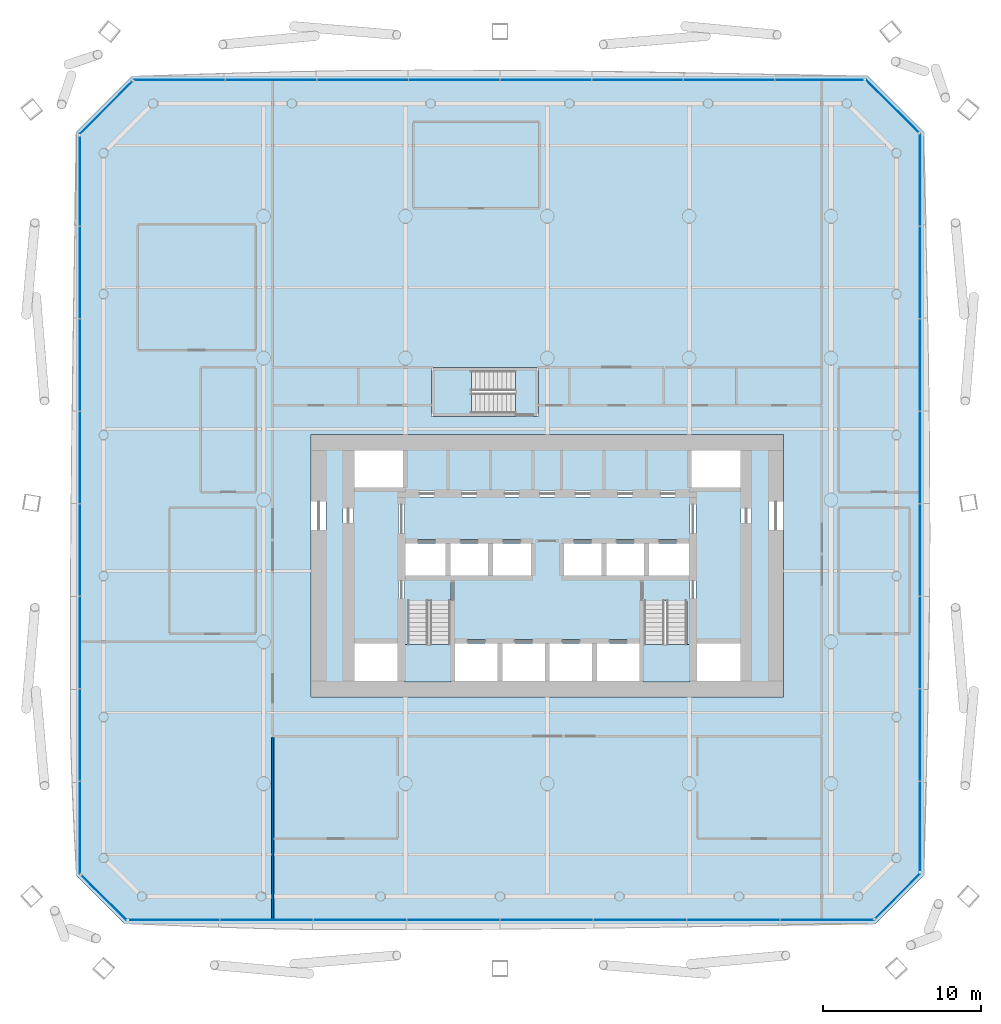
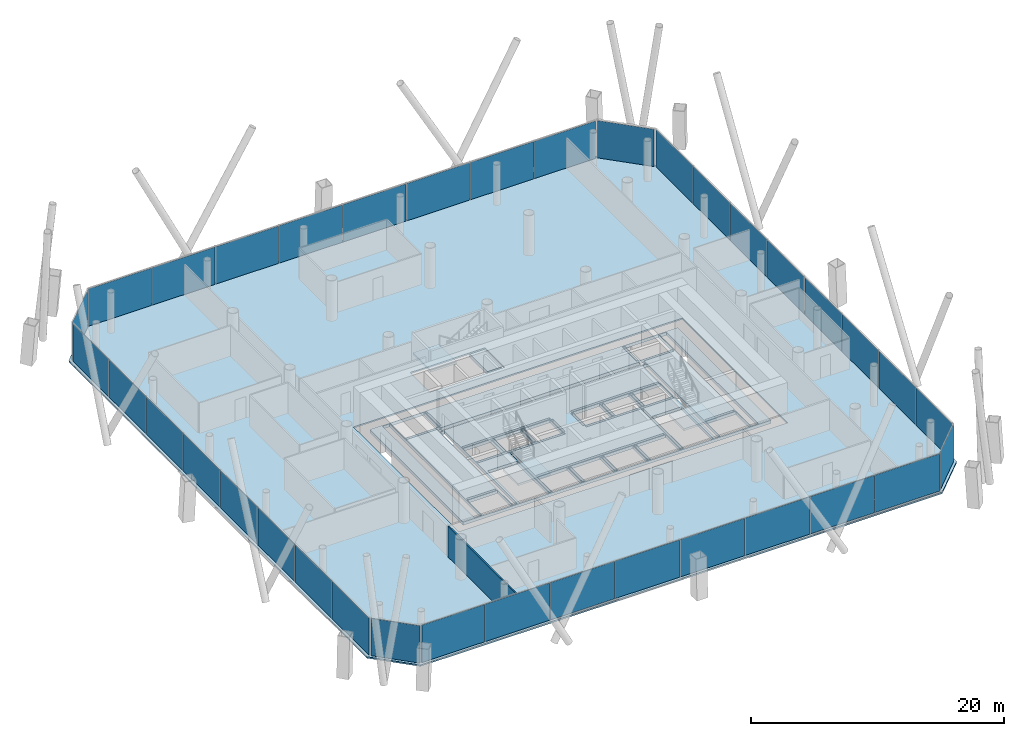
# One storey, part 16 of 25: 36 plates, 6 slabs, 1 wall, 11 elements without a shape of their own.
"""IFC4 building model written with IfcOpenShell, lengths in metres."""

from ifc_helpers import new_model, si_unit, direction, frame, frame_2d, origin, origin_2d, place, context, subcontext, project, spatial, polyline, rectangle, outline, extrude, material, layer, layer_set, type_object, element, aggregate, save


model = new_model("IFC4")

# Units and contexts
model_context = context("Model", 3, precision=1e-05, world=origin(), true_north=direction((0.0, 1.0)))
body_context = subcontext(model_context, "Body", "Model", "MODEL_VIEW")
ifc_project = project(units=[si_unit("LENGTHUNIT", "METRE"), si_unit("AREAUNIT", "SQUARE_METRE"), si_unit("VOLUMEUNIT", "CUBIC_METRE"), si_unit("PLANEANGLEUNIT", "RADIAN"), si_unit("MASSUNIT", "GRAM", prefix="KILO")], contexts=[model_context])

# Site, building, storey
site_placement = place(None, origin())
site = spatial("IfcSite", under=ifc_project, at=site_placement, CompositionType="ELEMENT")
building_placement = place(site_placement, origin())
building = spatial("IfcBuilding", under=site, at=building_placement, Name="Tskaro Facet Tower", CompositionType="ELEMENT")
storey_placement = place(building_placement, frame((0.0, 0.0, 34.199951171875)))
storey = spatial("IfcBuildingStorey", under=building, at=storey_placement, Name="L07", CompositionType="ELEMENT", Elevation=34.199951171875)

# Slab
ifc_material_1 = material(Name="Concrete C30/37", Category="concrete")
ifc_layer_1 = layer(ifc_material_1, 0.139892578125, Name="Concrete C30/37")
ifc_layer_set_1 = layer_set([ifc_layer_1], Name="Concrete C30/37")
slab_type_1 = type_object("IfcSlabType", Name="Composite deck floor slab", PredefinedType="FLOOR", material=ifc_layer_set_1)
slab_1_placement = place(storey_placement, frame((0.0, 0.0, -0.139892578125)))
element("IfcSlab", 1, at=slab_1_placement, inside=storey, type_object=slab_type_1, Name="Floor slab FS3 L07", PredefinedType="FLOOR", context=body_context, shape_type="SweptSolid", body=[
    extrude(outline(polyline([(-26.81689453125, -26.904052734375), (20.81689453125, -26.904052734375), (23.904052734375, -23.81689453125), (23.904052734375, 23.339111328125), (20.339111328125, 26.904052734375), (-26.339111328125, 26.904052734375), (-29.904052734375, 23.339111328125), (-29.904052734375, -23.81689453125), (-26.81689453125, -26.904052734375)]), holes=[polyline([(-15.0, -12.5), (15.0, -12.5), (15.0, 4.14990234375), (-15.0, 4.14990234375), (-15.0, -12.5)]), polyline([(-7.35009765625, 5.300048828125), (-0.550048828125, 5.300048828125), (-0.550048828125, 8.39990234375), (-7.35009765625, 8.39990234375), (-7.35009765625, 5.300048828125)])]), origin(), (0.0, 0.0, 1.0), 0.139892578125),
])

# Curtain wall, plates
ifc_material_2 = material(Name="Bronze anodised aluminium 6063-T6", Category="aluminium")
curtain_wall_type = type_object("IfcCurtainWallType", Name="Bronze office curtain wall (FW1)", PredefinedType="NOTDEFINED", material=ifc_material_2)
curtain_wall_1_placement = place(storey_placement, origin())
curtain_wall_1 = element("IfcCurtainWall", 2, at=curtain_wall_1_placement, inside=storey, type_object=curtain_wall_type, Name="FW1 south facet L07", PredefinedType="NOTDEFINED")
ifc_material_3 = material(Name="Bronze tinted glass", Category="glass")
ifc_layer_2 = layer(ifc_material_3, 0.031982421875, Name="Bronze tinted glass")
ifc_layer_set_2 = layer_set([ifc_layer_2], Name="Bronze tinted glass")
plate_type = type_object("IfcPlateType", Name="FW1 bronze-tinted unit glazing 32", PredefinedType="CURTAIN_PANEL", material=ifc_layer_set_2)
plate_1_placement = place(storey_placement, frame((-23.683837890625, -26.654052734375, 0.0), z_axis=(0.0, 0.0, 1.0), x_axis=(1.0, 0.0, 0.0)))
plate_1 = element("IfcPlate", 3, at=plate_1_placement, type_object=plate_type, Name="FW1 south glazing 1.1", PredefinedType="CURTAIN_PANEL", context=body_context, shape_type="SweptSolid", body=[
    extrude(rectangle(XDim=5.73828125, YDim=0.031982421875, at=origin_2d()), origin(), (0.0, 0.0, 1.0), 3.60009765625),
])
plate_2_placement = place(storey_placement, frame((-17.820556640625, -26.654052734375, 0.0), z_axis=(0.0, 0.0, 1.0), x_axis=(1.0, 0.0, 0.0)))
plate_2 = element("IfcPlate", 4, at=plate_2_placement, type_object=plate_type, Name="FW1 south glazing 2.1", PredefinedType="CURTAIN_PANEL", context=body_context, shape_type="SweptSolid", body=[
    extrude(rectangle(XDim=5.8681640625, YDim=0.031982421875, at=origin_2d()), origin(), (0.0, 0.0, 1.0), 3.60009765625),
])
plate_3_placement = place(storey_placement, frame((-11.892333984375, -26.654052734375, 0.0), z_axis=(0.0, 0.0, 1.0), x_axis=(1.0, 0.0, 0.0)))
plate_3 = element("IfcPlate", 5, at=plate_3_placement, type_object=plate_type, Name="FW1 south glazing 3.1", PredefinedType="CURTAIN_PANEL", context=body_context, shape_type="SweptSolid", body=[
    extrude(rectangle(XDim=5.8681640625, YDim=0.031982421875, at=origin_2d()), origin(), (0.0, 0.0, 1.0), 3.60009765625),
])
plate_4_placement = place(storey_placement, frame((-5.964111328125, -26.654052734375, 0.0), z_axis=(0.0, 0.0, 1.0), x_axis=(1.0, 0.0, 0.0)))
plate_4 = element("IfcPlate", 6, at=plate_4_placement, type_object=plate_type, Name="FW1 south glazing 4.1", PredefinedType="CURTAIN_PANEL", context=body_context, shape_type="SweptSolid", body=[
    extrude(rectangle(XDim=5.8681640625, YDim=0.031982421875, at=origin_2d()), origin(), (0.0, 0.0, 1.0), 3.60009765625),
])
plate_5_placement = place(storey_placement, frame((-0.035888671875, -26.654052734375, 0.0), z_axis=(0.0, 0.0, 1.0), x_axis=(1.0, 0.0, 0.0)))
plate_5 = element("IfcPlate", 7, at=plate_5_placement, type_object=plate_type, Name="FW1 south glazing 5.1", PredefinedType="CURTAIN_PANEL", context=body_context, shape_type="SweptSolid", body=[
    extrude(rectangle(XDim=5.8681640625, YDim=0.031982421875, at=origin_2d()), origin(), (0.0, 0.0, 1.0), 3.60009765625),
])
plate_6_placement = place(storey_placement, frame((5.892333984375, -26.654052734375, 0.0), z_axis=(0.0, 0.0, 1.0), x_axis=(1.0, 0.0, 0.0)))
plate_6 = element("IfcPlate", 8, at=plate_6_placement, type_object=plate_type, Name="FW1 south glazing 6.1", PredefinedType="CURTAIN_PANEL", context=body_context, shape_type="SweptSolid", body=[
    extrude(rectangle(XDim=5.8681640625, YDim=0.031982421875, at=origin_2d()), origin(), (0.0, 0.0, 1.0), 3.60009765625),
])
plate_7_placement = place(storey_placement, frame((11.820556640625, -26.654052734375, 0.0), z_axis=(0.0, 0.0, 1.0), x_axis=(1.0, 0.0, 0.0)))
plate_7 = element("IfcPlate", 9, at=plate_7_placement, type_object=plate_type, Name="FW1 south glazing 7.1", PredefinedType="CURTAIN_PANEL", context=body_context, shape_type="SweptSolid", body=[
    extrude(rectangle(XDim=5.8681640625, YDim=0.031982421875, at=origin_2d()), origin(), (0.0, 0.0, 1.0), 3.60009765625),
])
plate_8_placement = place(storey_placement, frame((17.763916015625, -26.654052734375, 0.0), z_axis=(0.0, 0.0, 1.0), x_axis=(1.0, 0.0, 0.0)))
plate_8 = element("IfcPlate", 10, at=plate_8_placement, type_object=plate_type, Name="FW1 south glazing 8.1", PredefinedType="CURTAIN_PANEL", context=body_context, shape_type="SweptSolid", body=[
    extrude(rectangle(XDim=5.898193359375, YDim=0.031982421875, at=origin_2d()), origin(), (0.0, 0.0, 1.0), 3.60009765625),
])
aggregate(curtain_wall_1, [plate_1, plate_2, plate_3, plate_4, plate_5, plate_6, plate_7, plate_8])

# Curtain wall, plate
curtain_wall_2_placement = place(storey_placement, origin())
curtain_wall_2 = element("IfcCurtainWall", 11, at=curtain_wall_2_placement, inside=storey, type_object=curtain_wall_type, Name="FW1 south-east facet L07", PredefinedType="NOTDEFINED")
plate_9_placement = place(storey_placement, frame((22.239990234375, -25.126953125, 0.0), z_axis=(0.0, 0.0, 1.0), x_axis=(0.707106781187, 0.707106781187, 0.0)))
plate_9 = element("IfcPlate", 12, at=plate_9_placement, type_object=plate_type, Name="FW1 south-east glazing 1.1", PredefinedType="CURTAIN_PANEL", context=body_context, shape_type="SweptSolid", body=[
    extrude(rectangle(XDim=3.999267578125, YDim=0.031982421875, at=origin_2d()), origin(), (0.0, 0.0, 1.0), 3.60009765625),
])
aggregate(curtain_wall_2, [plate_9])

# Curtain wall, plates
curtain_wall_3_placement = place(storey_placement, origin())
curtain_wall_3 = element("IfcCurtainWall", 13, at=curtain_wall_3_placement, inside=storey, type_object=curtain_wall_type, Name="FW1 east facet L07", PredefinedType="NOTDEFINED")
plate_10_placement = place(storey_placement, frame((23.654052734375, -20.7138671875, 0.0), z_axis=(0.0, 0.0, 1.0), x_axis=(0.0, 1.0, 0.0)))
plate_10 = element("IfcPlate", 14, at=plate_10_placement, type_object=plate_type, Name="FW1 east glazing 1.1", PredefinedType="CURTAIN_PANEL", context=body_context, shape_type="SweptSolid", body=[
    extrude(rectangle(XDim=5.678466796875, YDim=0.031982421875, at=origin_2d()), origin(), (0.0, 0.0, 1.0), 3.60009765625),
])
plate_11_placement = place(storey_placement, frame((23.654052734375, -14.91015625, 0.0), z_axis=(0.0, 0.0, 1.0), x_axis=(0.0, 1.0, 0.0)))
plate_11 = element("IfcPlate", 15, at=plate_11_placement, type_object=plate_type, Name="FW1 east glazing 2.1", PredefinedType="CURTAIN_PANEL", context=body_context, shape_type="SweptSolid", body=[
    extrude(rectangle(XDim=5.80859375, YDim=0.031982421875, at=origin_2d()), origin(), (0.0, 0.0, 1.0), 3.60009765625),
])
plate_12_placement = place(storey_placement, frame((23.654052734375, -9.041748046875, 0.0), z_axis=(0.0, 0.0, 1.0), x_axis=(0.0, 1.0, 0.0)))
plate_12 = element("IfcPlate", 16, at=plate_12_placement, type_object=plate_type, Name="FW1 east glazing 3.1", PredefinedType="CURTAIN_PANEL", context=body_context, shape_type="SweptSolid", body=[
    extrude(rectangle(XDim=5.80859375, YDim=0.031982421875, at=origin_2d()), origin(), (0.0, 0.0, 1.0), 3.60009765625),
])
plate_13_placement = place(storey_placement, frame((23.654052734375, -3.17333984375, 0.0), z_axis=(0.0, 0.0, 1.0), x_axis=(0.0, 1.0, 0.0)))
plate_13 = element("IfcPlate", 17, at=plate_13_placement, type_object=plate_type, Name="FW1 east glazing 4.1", PredefinedType="CURTAIN_PANEL", context=body_context, shape_type="SweptSolid", body=[
    extrude(rectangle(XDim=5.80859375, YDim=0.031982421875, at=origin_2d()), origin(), (0.0, 0.0, 1.0), 3.60009765625),
])
plate_14_placement = place(storey_placement, frame((23.654052734375, 2.6953125, 0.0), z_axis=(0.0, 0.0, 1.0), x_axis=(0.0, 1.0, 0.0)))
plate_14 = element("IfcPlate", 18, at=plate_14_placement, type_object=plate_type, Name="FW1 east glazing 5.1", PredefinedType="CURTAIN_PANEL", context=body_context, shape_type="SweptSolid", body=[
    extrude(rectangle(XDim=5.80859375, YDim=0.031982421875, at=origin_2d()), origin(), (0.0, 0.0, 1.0), 3.60009765625),
])
plate_15_placement = place(storey_placement, frame((23.654052734375, 8.563720703125, 0.0), z_axis=(0.0, 0.0, 1.0), x_axis=(0.0, 1.0, 0.0)))
plate_15 = element("IfcPlate", 19, at=plate_15_placement, type_object=plate_type, Name="FW1 east glazing 6.1", PredefinedType="CURTAIN_PANEL", context=body_context, shape_type="SweptSolid", body=[
    extrude(rectangle(XDim=5.80859375, YDim=0.031982421875, at=origin_2d()), origin(), (0.0, 0.0, 1.0), 3.60009765625),
])
plate_16_placement = place(storey_placement, frame((23.654052734375, 14.43212890625, 0.0), z_axis=(0.0, 0.0, 1.0), x_axis=(0.0, 1.0, 0.0)))
plate_16 = element("IfcPlate", 20, at=plate_16_placement, type_object=plate_type, Name="FW1 east glazing 7.1", PredefinedType="CURTAIN_PANEL", context=body_context, shape_type="SweptSolid", body=[
    extrude(rectangle(XDim=5.80859375, YDim=0.031982421875, at=origin_2d()), origin(), (0.0, 0.0, 1.0), 3.60009765625),
])
plate_17_placement = place(storey_placement, frame((23.654052734375, 20.315673828125, 0.0), z_axis=(0.0, 0.0, 1.0), x_axis=(0.0, 1.0, 0.0)))
plate_17 = element("IfcPlate", 21, at=plate_17_placement, type_object=plate_type, Name="FW1 east glazing 8.1", PredefinedType="CURTAIN_PANEL", context=body_context, shape_type="SweptSolid", body=[
    extrude(rectangle(XDim=5.83837890625, YDim=0.031982421875, at=origin_2d()), origin(), (0.0, 0.0, 1.0), 3.60009765625),
])
aggregate(curtain_wall_3, [plate_10, plate_11, plate_12, plate_13, plate_14, plate_15, plate_16, plate_17])

# Curtain wall, plate
curtain_wall_4_placement = place(storey_placement, origin())
curtain_wall_4 = element("IfcCurtainWall", 22, at=curtain_wall_4_placement, inside=storey, type_object=curtain_wall_type, Name="FW1 north-east facet L07", PredefinedType="NOTDEFINED")
plate_18_placement = place(storey_placement, frame((21.887939453125, 25.0009765625, 0.0), z_axis=(0.0, 0.0, 1.0), x_axis=(-0.707106781187, 0.707106781187, 0.0)))
plate_18 = element("IfcPlate", 23, at=plate_18_placement, type_object=plate_type, Name="FW1 north-east glazing 1.1", PredefinedType="CURTAIN_PANEL", context=body_context, shape_type="SweptSolid", body=[
    extrude(rectangle(XDim=4.67529296875, YDim=0.031982421875, at=origin_2d()), origin(), (0.0, 0.0, 1.0), 3.60009765625),
])
aggregate(curtain_wall_4, [plate_18])

# Curtain wall, plates
curtain_wall_5_placement = place(storey_placement, origin())
curtain_wall_5 = element("IfcCurtainWall", 24, at=curtain_wall_5_placement, inside=storey, type_object=curtain_wall_type, Name="FW1 north facet L07", PredefinedType="NOTDEFINED")
plate_19_placement = place(storey_placement, frame((17.265625, 26.654052734375, 0.0), z_axis=(0.0, 0.0, 1.0), x_axis=(-1.0, 0.0, 0.0)))
plate_19 = element("IfcPlate", 25, at=plate_19_placement, type_object=plate_type, Name="FW1 north glazing 1.1", PredefinedType="CURTAIN_PANEL", context=body_context, shape_type="SweptSolid", body=[
    extrude(rectangle(XDim=5.61865234375, YDim=0.031982421875, at=origin_2d()), origin(), (0.0, 0.0, 1.0), 3.60009765625),
])
plate_20_placement = place(storey_placement, frame((11.52197265625, 26.654052734375, 0.0), z_axis=(0.0, 0.0, 1.0), x_axis=(-1.0, 0.0, 0.0)))
plate_20 = element("IfcPlate", 26, at=plate_20_placement, type_object=plate_type, Name="FW1 north glazing 2.1", PredefinedType="CURTAIN_PANEL", context=body_context, shape_type="SweptSolid", body=[
    extrude(rectangle(XDim=5.748779296875, YDim=0.031982421875, at=origin_2d()), origin(), (0.0, 0.0, 1.0), 3.60009765625),
])
plate_21_placement = place(storey_placement, frame((5.713134765625, 26.654052734375, 0.0), z_axis=(0.0, 0.0, 1.0), x_axis=(-1.0, 0.0, 0.0)))
plate_21 = element("IfcPlate", 27, at=plate_21_placement, type_object=plate_type, Name="FW1 north glazing 3.1", PredefinedType="CURTAIN_PANEL", context=body_context, shape_type="SweptSolid", body=[
    extrude(rectangle(XDim=5.748779296875, YDim=0.031982421875, at=origin_2d()), origin(), (0.0, 0.0, 1.0), 3.60009765625),
])
plate_22_placement = place(storey_placement, frame((-0.095703125, 26.654052734375, 0.0), z_axis=(0.0, 0.0, 1.0), x_axis=(-1.0, 0.0, 0.0)))
plate_22 = element("IfcPlate", 28, at=plate_22_placement, type_object=plate_type, Name="FW1 north glazing 4.1", PredefinedType="CURTAIN_PANEL", context=body_context, shape_type="SweptSolid", body=[
    extrude(rectangle(XDim=5.748779296875, YDim=0.031982421875, at=origin_2d()), origin(), (0.0, 0.0, 1.0), 3.60009765625),
])
plate_23_placement = place(storey_placement, frame((-5.904296875, 26.654052734375, 0.0), z_axis=(0.0, 0.0, 1.0), x_axis=(-1.0, 0.0, 0.0)))
plate_23 = element("IfcPlate", 29, at=plate_23_placement, type_object=plate_type, Name="FW1 north glazing 5.1", PredefinedType="CURTAIN_PANEL", context=body_context, shape_type="SweptSolid", body=[
    extrude(rectangle(XDim=5.748779296875, YDim=0.031982421875, at=origin_2d()), origin(), (0.0, 0.0, 1.0), 3.60009765625),
])
plate_24_placement = place(storey_placement, frame((-11.713134765625, 26.654052734375, 0.0), z_axis=(0.0, 0.0, 1.0), x_axis=(-1.0, 0.0, 0.0)))
plate_24 = element("IfcPlate", 30, at=plate_24_placement, type_object=plate_type, Name="FW1 north glazing 6.1", PredefinedType="CURTAIN_PANEL", context=body_context, shape_type="SweptSolid", body=[
    extrude(rectangle(XDim=5.748779296875, YDim=0.031982421875, at=origin_2d()), origin(), (0.0, 0.0, 1.0), 3.60009765625),
])
plate_25_placement = place(storey_placement, frame((-17.52197265625, 26.654052734375, 0.0), z_axis=(0.0, 0.0, 1.0), x_axis=(-1.0, 0.0, 0.0)))
plate_25 = element("IfcPlate", 31, at=plate_25_placement, type_object=plate_type, Name="FW1 north glazing 7.1", PredefinedType="CURTAIN_PANEL", context=body_context, shape_type="SweptSolid", body=[
    extrude(rectangle(XDim=5.748779296875, YDim=0.031982421875, at=origin_2d()), origin(), (0.0, 0.0, 1.0), 3.60009765625),
])
plate_26_placement = place(storey_placement, frame((-23.345703125, 26.654052734375, 0.0), z_axis=(0.0, 0.0, 1.0), x_axis=(-1.0, 0.0, 0.0)))
plate_26 = element("IfcPlate", 32, at=plate_26_placement, type_object=plate_type, Name="FW1 north glazing 8.1", PredefinedType="CURTAIN_PANEL", context=body_context, shape_type="SweptSolid", body=[
    extrude(rectangle(XDim=5.77880859375, YDim=0.031982421875, at=origin_2d()), origin(), (0.0, 0.0, 1.0), 3.60009765625),
])
aggregate(curtain_wall_5, [plate_19, plate_20, plate_21, plate_22, plate_23, plate_24, plate_25, plate_26])

# Curtain wall, plate
curtain_wall_6_placement = place(storey_placement, origin())
curtain_wall_6 = element("IfcCurtainWall", 33, at=curtain_wall_6_placement, inside=storey, type_object=curtain_wall_type, Name="FW1 north-west facet L07", PredefinedType="NOTDEFINED")
plate_27_placement = place(storey_placement, frame((-28.0009765625, 24.887939453125, 0.0), z_axis=(0.0, 0.0, 1.0), x_axis=(-0.707106781187, -0.707106781187, 0.0)))
plate_27 = element("IfcPlate", 34, at=plate_27_placement, type_object=plate_type, Name="FW1 north-west glazing 1.1", PredefinedType="CURTAIN_PANEL", context=body_context, shape_type="SweptSolid", body=[
    extrude(rectangle(XDim=4.67529296875, YDim=0.031982421875, at=origin_2d()), origin(), (0.0, 0.0, 1.0), 3.60009765625),
])
aggregate(curtain_wall_6, [plate_27])

# Curtain wall, plates
curtain_wall_7_placement = place(storey_placement, origin())
curtain_wall_7 = element("IfcCurtainWall", 35, at=curtain_wall_7_placement, inside=storey, type_object=curtain_wall_type, Name="FW1 west facet L07", PredefinedType="NOTDEFINED")
plate_28_placement = place(storey_placement, frame((-29.654052734375, 20.23583984375, 0.0), z_axis=(0.0, 0.0, 1.0), x_axis=(0.0, -1.0, 0.0)))
plate_28 = element("IfcPlate", 36, at=plate_28_placement, type_object=plate_type, Name="FW1 west glazing 1.1", PredefinedType="CURTAIN_PANEL", context=body_context, shape_type="SweptSolid", body=[
    extrude(rectangle(XDim=5.678466796875, YDim=0.031982421875, at=origin_2d()), origin(), (0.0, 0.0, 1.0), 3.60009765625),
])
plate_29_placement = place(storey_placement, frame((-29.654052734375, 14.43212890625, 0.0), z_axis=(0.0, 0.0, 1.0), x_axis=(0.0, -1.0, 0.0)))
plate_29 = element("IfcPlate", 37, at=plate_29_placement, type_object=plate_type, Name="FW1 west glazing 2.1", PredefinedType="CURTAIN_PANEL", context=body_context, shape_type="SweptSolid", body=[
    extrude(rectangle(XDim=5.80859375, YDim=0.031982421875, at=origin_2d()), origin(), (0.0, 0.0, 1.0), 3.60009765625),
])
plate_30_placement = place(storey_placement, frame((-29.654052734375, 8.563720703125, 0.0), z_axis=(0.0, 0.0, 1.0), x_axis=(0.0, -1.0, 0.0)))
plate_30 = element("IfcPlate", 38, at=plate_30_placement, type_object=plate_type, Name="FW1 west glazing 3.1", PredefinedType="CURTAIN_PANEL", context=body_context, shape_type="SweptSolid", body=[
    extrude(rectangle(XDim=5.80859375, YDim=0.031982421875, at=origin_2d()), origin(), (0.0, 0.0, 1.0), 3.60009765625),
])
plate_31_placement = place(storey_placement, frame((-29.654052734375, 2.6953125, 0.0), z_axis=(0.0, 0.0, 1.0), x_axis=(0.0, -1.0, 0.0)))
plate_31 = element("IfcPlate", 39, at=plate_31_placement, type_object=plate_type, Name="FW1 west glazing 4.1", PredefinedType="CURTAIN_PANEL", context=body_context, shape_type="SweptSolid", body=[
    extrude(rectangle(XDim=5.80859375, YDim=0.031982421875, at=origin_2d()), origin(), (0.0, 0.0, 1.0), 3.60009765625),
])
plate_32_placement = place(storey_placement, frame((-29.654052734375, -3.17333984375, 0.0), z_axis=(0.0, 0.0, 1.0), x_axis=(0.0, -1.0, 0.0)))
plate_32 = element("IfcPlate", 40, at=plate_32_placement, type_object=plate_type, Name="FW1 west glazing 5.1", PredefinedType="CURTAIN_PANEL", context=body_context, shape_type="SweptSolid", body=[
    extrude(rectangle(XDim=5.80859375, YDim=0.031982421875, at=origin_2d()), origin(), (0.0, 0.0, 1.0), 3.60009765625),
])
plate_33_placement = place(storey_placement, frame((-29.654052734375, -9.041748046875, 0.0), z_axis=(0.0, 0.0, 1.0), x_axis=(0.0, -1.0, 0.0)))
plate_33 = element("IfcPlate", 41, at=plate_33_placement, type_object=plate_type, Name="FW1 west glazing 6.1", PredefinedType="CURTAIN_PANEL", context=body_context, shape_type="SweptSolid", body=[
    extrude(rectangle(XDim=5.80859375, YDim=0.031982421875, at=origin_2d()), origin(), (0.0, 0.0, 1.0), 3.60009765625),
])
plate_34_placement = place(storey_placement, frame((-29.654052734375, -14.91015625, 0.0), z_axis=(0.0, 0.0, 1.0), x_axis=(0.0, -1.0, 0.0)))
plate_34 = element("IfcPlate", 42, at=plate_34_placement, type_object=plate_type, Name="FW1 west glazing 7.1", PredefinedType="CURTAIN_PANEL", context=body_context, shape_type="SweptSolid", body=[
    extrude(rectangle(XDim=5.80859375, YDim=0.031982421875, at=origin_2d()), origin(), (0.0, 0.0, 1.0), 3.60009765625),
])
plate_35_placement = place(storey_placement, frame((-29.654052734375, -20.793701171875, 0.0), z_axis=(0.0, 0.0, 1.0), x_axis=(0.0, -1.0, 0.0)))
plate_35 = element("IfcPlate", 43, at=plate_35_placement, type_object=plate_type, Name="FW1 west glazing 8.1", PredefinedType="CURTAIN_PANEL", context=body_context, shape_type="SweptSolid", body=[
    extrude(rectangle(XDim=5.83837890625, YDim=0.031982421875, at=origin_2d()), origin(), (0.0, 0.0, 1.0), 3.60009765625),
])
aggregate(curtain_wall_7, [plate_28, plate_29, plate_30, plate_31, plate_32, plate_33, plate_34, plate_35])

# Curtain wall, plate
curtain_wall_8_placement = place(storey_placement, origin())
curtain_wall_8 = element("IfcCurtainWall", 44, at=curtain_wall_8_placement, inside=storey, type_object=curtain_wall_type, Name="FW1 south-west facet L07", PredefinedType="NOTDEFINED")
plate_36_placement = place(storey_placement, frame((-28.126953125, -25.239990234375, 0.0), z_axis=(0.0, 0.0, 1.0), x_axis=(0.707106781187, -0.707106781187, 0.0)))
plate_36 = element("IfcPlate", 45, at=plate_36_placement, type_object=plate_type, Name="FW1 south-west glazing 1.1", PredefinedType="CURTAIN_PANEL", context=body_context, shape_type="SweptSolid", body=[
    extrude(rectangle(XDim=3.999267578125, YDim=0.031982421875, at=origin_2d()), origin(), (0.0, 0.0, 1.0), 3.60009765625),
])
aggregate(curtain_wall_8, [plate_36])

# Stair, slab
ifc_material_4 = material(Name="Concrete C40/50", Category="concrete")
stair_type = type_object("IfcStairType", Name="ST-TWR", PredefinedType="HALF_TURN_STAIR", material=ifc_material_4)
stair_1_placement = place(storey_placement, origin())
stair_1 = element("IfcStair", 46, at=stair_1_placement, inside=storey, type_object=stair_type, Name="L07 Exit stair 1", PredefinedType="HALF_TURN_STAIR")
ifc_layer_3 = layer(ifc_material_4, 0.199951171875, Name="Concrete C40/50")
ifc_layer_set_3 = layer_set([ifc_layer_3], Name="Concrete C40/50")
slab_type_2 = type_object("IfcSlabType", Name="SL-LANDING", PredefinedType="LANDING", material=ifc_layer_set_3)
slab_2_placement = place(storey_placement, frame((0.0, 0.0, 1.75)))
slab_2 = element("IfcSlab", 47, at=slab_2_placement, type_object=slab_type_2, Name="ST-1 landing 1", PredefinedType="LANDING", context=body_context, shape_type="SweptSolid", body=[
    extrude(outline(polyline([(-9.050048828125, -11.550048828125), (-6.10009765625, -11.550048828125), (-6.10009765625, -9.175048828125), (-9.050048828125, -9.175048828125), (-9.050048828125, -11.550048828125)])), origin(), (0.0, 0.0, 1.0), 0.199951171875),
])
aggregate(stair_1, [slab_2])

stair_2_placement = place(storey_placement, origin())
stair_2 = element("IfcStair", 48, at=stair_2_placement, inside=storey, type_object=stair_type, Name="L07 Exit stair 2", PredefinedType="HALF_TURN_STAIR")
slab_3_placement = place(storey_placement, frame((0.0, 0.0, 1.75)))
slab_3 = element("IfcSlab", 49, at=slab_3_placement, type_object=slab_type_2, Name="ST-2 landing 1", PredefinedType="LANDING", context=body_context, shape_type="SweptSolid", body=[
    extrude(outline(polyline([(6.10009765625, -11.550048828125), (9.050048828125, -11.550048828125), (9.050048828125, -9.175048828125), (6.10009765625, -9.175048828125), (6.10009765625, -11.550048828125)])), origin(), (0.0, 0.0, 1.0), 0.199951171875),
])
aggregate(stair_2, [slab_3])

stair_3_placement = place(storey_placement, origin())
stair_3 = element("IfcStair", 50, at=stair_3_placement, inside=storey, type_object=stair_type, Name="L07 Exit stair 3", PredefinedType="HALF_TURN_STAIR")
slab_4_placement = place(storey_placement, frame((0.0, 0.0, 1.75)))
slab_4 = element("IfcSlab", 51, at=slab_4_placement, type_object=slab_type_2, Name="ST-3 landing 1", PredefinedType="LANDING", context=body_context, shape_type="SweptSolid", body=[
    extrude(outline(polyline([(-7.199951171875, 5.449951171875), (-4.824951171875, 5.449951171875), (-4.824951171875, 8.25), (-7.199951171875, 8.25), (-7.199951171875, 5.449951171875)])), origin(), (0.0, 0.0, 1.0), 0.199951171875),
])
aggregate(stair_3, [slab_4])

# Slabs
ifc_material_5 = material(Name="Concrete C60/75", Category="concrete")
ifc_layer_4 = layer(ifc_material_5, 0.300048828125, Name="Concrete C60/75")
ifc_layer_set_4 = layer_set([ifc_layer_4], Name="Concrete C60/75")
slab_type_3 = type_object("IfcSlabType", Name="SLAB-CORE", PredefinedType="FLOOR", material=ifc_layer_set_4)
slab_5_placement = place(storey_placement, frame((0.0, 0.0, -0.300048828125)))
element("IfcSlab", 52, at=slab_5_placement, inside=storey, type_object=slab_type_3, Name="Core floor slab 1", PredefinedType="FLOOR", context=body_context, shape_type="SweptSolid", body=[
    extrude(outline(polyline([(-14.050048828125, 3.199951171875), (14.050048828125, 3.199951171875), (14.050048828125, 3.10009765625), (14.050048828125, -11.449951171875), (14.050048828125, -11.550048828125), (-14.050048828125, -11.550048828125), (-14.050048828125, -11.449951171875), (-14.050048828125, 3.10009765625), (-14.050048828125, 3.199951171875)]), holes=[polyline([(-9.5, -9.10009765625), (-12.25, -9.10009765625), (-12.25, -11.5), (-9.5, -11.5), (-9.5, -9.10009765625)]), polyline([(-3.14990234375, -9.10009765625), (-5.85009765625, -9.10009765625), (-5.85009765625, -11.5), (-3.14990234375, -11.5), (-3.14990234375, -9.10009765625)]), polyline([(-12.199951171875, -8.85009765625), (-12.199951171875, -9.050048828125), (-9.550048828125, -9.050048828125), (-9.550048828125, -8.85009765625), (-12.199951171875, -8.85009765625)]), polyline([(-6.10009765625, -11.449951171875), (-5.89990234375, -11.449951171875), (-5.89990234375, -5.14990234375), (-6.10009765625, -5.14990234375), (-6.10009765625, -11.449951171875)]), polyline([(-9.449951171875, 0.10009765625), (-9.449951171875, -11.449951171875), (-9.050048828125, -11.449951171875), (-9.050048828125, 0.10009765625), (-9.449951171875, 0.10009765625)]), polyline([(-8.949951171875, -4.85009765625), (-8.949951171875, -5.050048828125), (-0.949951171875, -5.050048828125), (-0.949951171875, -4.85009765625), (-8.949951171875, -4.85009765625)]), polyline([(-12.949951171875, -11.449951171875), (-12.300048828125, -11.449951171875), (-12.300048828125, 3.10009765625), (-12.949951171875, 3.10009765625), (-12.949951171875, -11.449951171875)]), polyline([(-6.449951171875, -4.800048828125), (-6.449951171875, -2.75), (-9.0, -2.75), (-9.0, -4.800048828125), (-6.449951171875, -4.800048828125)]), polyline([(-3.75, -2.75), (-6.14990234375, -2.75), (-6.14990234375, -4.800048828125), (-3.75, -4.800048828125), (-3.75, -2.75)]), polyline([(-6.39990234375, -2.800048828125), (-6.39990234375, -4.75), (-6.199951171875, -4.75), (-6.199951171875, -2.800048828125), (-6.39990234375, -2.800048828125)]), polyline([(-8.949951171875, -2.5), (-8.949951171875, -2.699951171875), (-0.949951171875, -2.699951171875), (-0.949951171875, -2.5), (-8.949951171875, -2.5)]), polyline([(9.449951171875, 0.550048828125), (12.199951171875, 0.550048828125), (12.199951171875, 0.75), (9.050048828125, 0.75), (9.050048828125, 0.60009765625), (-9.050048828125, 0.60009765625), (-9.050048828125, 0.75), (-12.199951171875, 0.75), (-12.199951171875, 0.550048828125), (-9.449951171875, 0.550048828125), (-9.449951171875, 0.199951171875), (9.449951171875, 0.199951171875), (9.449951171875, 0.550048828125)]), polyline([(-9.10009765625, 3.10009765625), (-9.10009765625, 0.85009765625), (-8.89990234375, 0.85009765625), (-8.89990234375, 3.10009765625), (-9.10009765625, 3.10009765625)]), polyline([(-9.14990234375, 0.800048828125), (-9.14990234375, 3.14990234375), (-12.25, 3.14990234375), (-12.25, 0.800048828125), (-9.14990234375, 0.800048828125)]), polyline([(2.89990234375, -11.449951171875), (3.10009765625, -11.449951171875), (3.10009765625, -9.14990234375), (2.89990234375, -9.14990234375), (2.89990234375, -11.449951171875)]), polyline([(-3.10009765625, -9.14990234375), (-3.10009765625, -11.449951171875), (-2.89990234375, -11.449951171875), (-2.89990234375, -9.14990234375), (-3.10009765625, -9.14990234375)]), polyline([(2.85009765625, -9.10009765625), (0.14990234375, -9.10009765625), (0.14990234375, -11.5), (2.85009765625, -11.5), (2.85009765625, -9.10009765625)]), polyline([(-0.14990234375, -9.10009765625), (-2.85009765625, -9.10009765625), (-2.85009765625, -11.5), (-0.14990234375, -11.5), (-0.14990234375, -9.10009765625)]), polyline([(-0.10009765625, -9.14990234375), (-0.10009765625, -11.449951171875), (0.10009765625, -11.449951171875), (0.10009765625, -9.14990234375), (-0.10009765625, -9.14990234375)]), polyline([(-5.800048828125, -8.85009765625), (-5.800048828125, -9.050048828125), (5.800048828125, -9.050048828125), (5.800048828125, -8.85009765625), (-5.800048828125, -8.85009765625)]), polyline([(-1.0, -2.800048828125), (-1.0, -4.75), (-0.800048828125, -4.75), (-0.800048828125, -2.800048828125), (-1.0, -2.800048828125)]), polyline([(0.800048828125, -4.75), (1.0, -4.75), (1.0, -2.800048828125), (0.800048828125, -2.800048828125), (0.800048828125, -4.75)]), polyline([(-1.050048828125, -4.800048828125), (-1.050048828125, -2.75), (-3.449951171875, -2.75), (-3.449951171875, -4.800048828125), (-1.050048828125, -4.800048828125)]), polyline([(3.449951171875, -4.800048828125), (3.449951171875, -2.75), (1.050048828125, -2.75), (1.050048828125, -4.800048828125), (3.449951171875, -4.800048828125)]), polyline([(-3.699951171875, -4.75), (-3.5, -4.75), (-3.5, -2.800048828125), (-3.699951171875, -2.800048828125), (-3.699951171875, -4.75)]), polyline([(3.14990234375, -9.10009765625), (3.14990234375, -11.5), (5.85009765625, -11.5), (5.85009765625, -9.10009765625), (3.14990234375, -9.10009765625)]), polyline([(12.25, -11.5), (12.25, -9.10009765625), (9.5, -9.10009765625), (9.5, -11.5), (12.25, -11.5)]), polyline([(9.550048828125, -8.85009765625), (9.550048828125, -9.050048828125), (12.199951171875, -9.050048828125), (12.199951171875, -8.85009765625), (9.550048828125, -8.85009765625)]), polyline([(5.89990234375, -11.449951171875), (6.10009765625, -11.449951171875), (6.10009765625, -5.14990234375), (5.89990234375, -5.14990234375), (5.89990234375, -11.449951171875)]), polyline([(9.050048828125, 0.10009765625), (9.050048828125, -11.449951171875), (9.449951171875, -11.449951171875), (9.449951171875, 0.10009765625), (9.050048828125, 0.10009765625)]), polyline([(0.949951171875, -4.85009765625), (0.949951171875, -5.050048828125), (8.949951171875, -5.050048828125), (8.949951171875, -4.85009765625), (0.949951171875, -4.85009765625)]), polyline([(12.300048828125, -11.449951171875), (12.949951171875, -11.449951171875), (12.949951171875, 3.10009765625), (12.300048828125, 3.10009765625), (12.300048828125, -11.449951171875)]), polyline([(3.5, -2.800048828125), (3.5, -4.75), (3.699951171875, -4.75), (3.699951171875, -2.800048828125), (3.5, -2.800048828125)]), polyline([(6.14990234375, -2.75), (3.75, -2.75), (3.75, -4.800048828125), (6.14990234375, -4.800048828125), (6.14990234375, -2.75)]), polyline([(6.199951171875, -2.800048828125), (6.199951171875, -4.75), (6.39990234375, -4.75), (6.39990234375, -2.800048828125), (6.199951171875, -2.800048828125)]), polyline([(6.449951171875, -2.75), (6.449951171875, -4.800048828125), (9.0, -4.800048828125), (9.0, -2.75), (6.449951171875, -2.75)]), polyline([(0.949951171875, -2.5), (0.949951171875, -2.699951171875), (8.949951171875, -2.699951171875), (8.949951171875, -2.5), (0.949951171875, -2.5)]), polyline([(8.89990234375, 3.10009765625), (8.89990234375, 0.85009765625), (9.10009765625, 0.85009765625), (9.10009765625, 3.10009765625), (8.89990234375, 3.10009765625)]), polyline([(9.14990234375, 0.800048828125), (12.25, 0.800048828125), (12.25, 3.14990234375), (9.14990234375, 3.14990234375), (9.14990234375, 0.800048828125)]), polyline([(-8.85009765625, -11.5), (-6.14990234375, -11.5), (-6.14990234375, -6.39501953125), (-8.85009765625, -6.39501953125), (-8.85009765625, -11.5)]), polyline([(6.14990234375, -6.39501953125), (6.14990234375, -11.5), (8.85009765625, -11.5), (8.85009765625, -6.39501953125), (6.14990234375, -6.39501953125)])]), origin(), (0.0, 0.0, 1.0), 0.300048828125),
])
slab_6_placement = place(storey_placement, frame((0.0, 0.0, -0.300048828125)))
element("IfcSlab", 53, at=slab_6_placement, inside=storey, type_object=slab_type_3, Name="Stair 3 floor landing 1", PredefinedType="FLOOR", context=body_context, shape_type="SweptSolid", body=[
    extrude(outline(polyline([(-2.02490234375, 5.449951171875), (-0.699951171875, 5.449951171875), (-0.699951171875, 8.25), (-2.02490234375, 8.25), (-2.02490234375, 5.449951171875)])), origin(), (0.0, 0.0, 1.0), 0.300048828125),
])

# Wall
ifc_material_6 = material(Name="Gypsum board on steel studs", Category="steel")
ifc_layer_5 = layer(ifc_material_6, 0.125, Name="Gypsum board on steel studs")
ifc_layer_set_5 = layer_set([ifc_layer_5], Name="Gypsum board on steel studs")
wall_type = type_object("IfcWallType", Name="PART", PredefinedType="PARTITIONING", material=ifc_layer_set_5)
wall_placement = place(storey_placement, frame((-17.425048828125, -26.60400390625, 0.0), z_axis=(0.0, 0.0, 1.0), x_axis=(0.0, 1.0, 0.0)))
element("IfcWall", 54, at=wall_placement, inside=storey, type_object=wall_type, Name="Partition W040", PredefinedType="PARTITIONING", context=body_context, shape_type="SweptSolid", body=[
    extrude(rectangle(XDim=11.529052734375, YDim=0.125, at=frame_2d((5.7646484375, 0.0))), origin(), (0.0, 0.0, 1.0), 2.9599609375),
])

save(model, "model.ifc")
